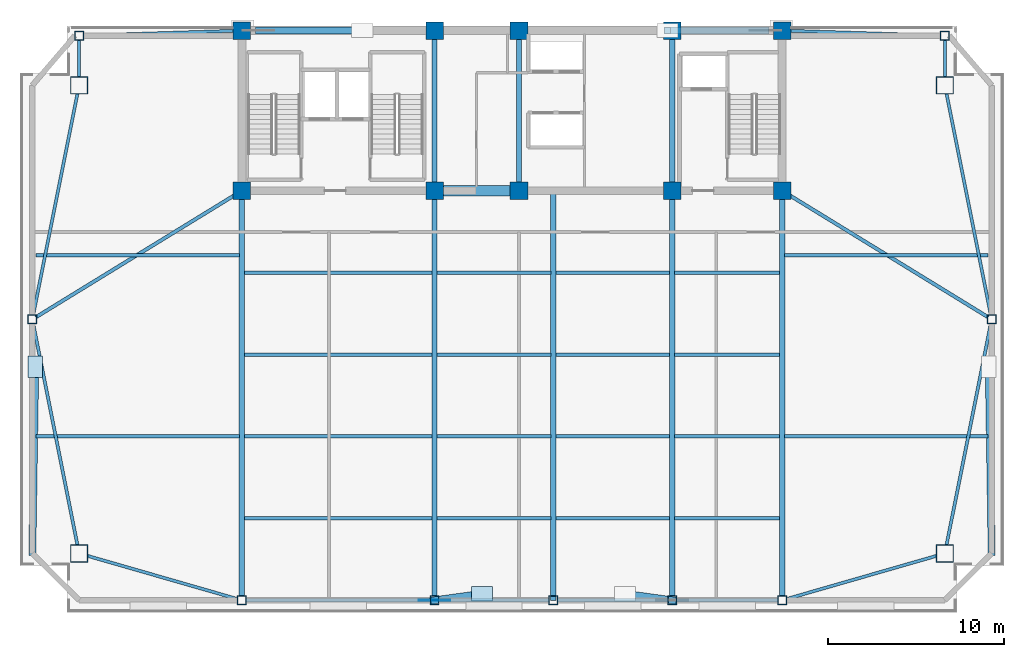
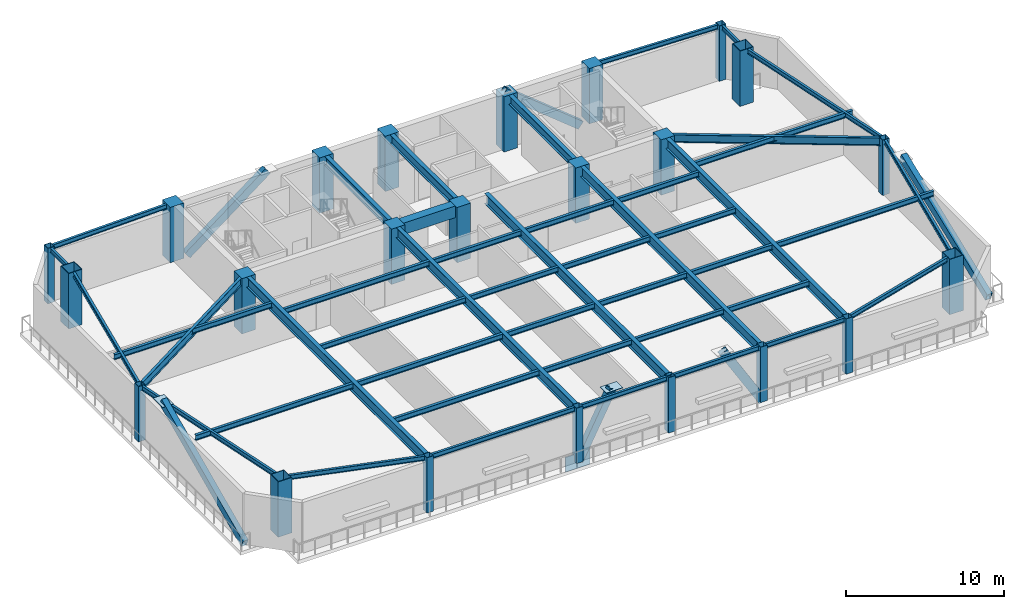
# One storey, part 1 of 9: 45 beams, 23 columns, 6 members, 3 plates.
"""IFC4 building model written with IfcOpenShell, lengths in metres."""

from ifc_helpers import new_model, si_unit, direction, frame, origin, origin_2d, place, context, subcontext, project, spatial, rectangle, hollow_rectangle, i_section, extrude, source, transform, mapped, material, material_profile, profile_set, type_object, element, save


model = new_model("IFC4")

# Units and contexts
model_context = context("Model", 3, precision=1e-05, world=origin(), true_north=direction((0.0, 1.0)))
body_context = subcontext(model_context, "Body", "Model", "MODEL_VIEW")
ifc_project = project(units=[si_unit("LENGTHUNIT", "METRE"), si_unit("AREAUNIT", "SQUARE_METRE"), si_unit("VOLUMEUNIT", "CUBIC_METRE"), si_unit("PLANEANGLEUNIT", "RADIAN"), si_unit("MASSUNIT", "GRAM", prefix="KILO")], contexts=[model_context])

# Site, building, storey
site_placement = place(None, origin())
site = spatial("IfcSite", under=ifc_project, at=site_placement, CompositionType="ELEMENT")
building_placement = place(site_placement, origin())
building = spatial("IfcBuilding", under=site, at=building_placement, Name="Giltprow Tower", CompositionType="ELEMENT")
storey_placement = place(building_placement, frame((0.0, 0.0, 237.199951171875)))
storey = spatial("IfcBuildingStorey", under=building, at=storey_placement, Name="L60", CompositionType="ELEMENT", Elevation=237.199951171875)

# Columns
ifc_material_1 = material(Name="Structural steel Q420GJC", Category="steel")
ifc_material_profile_1 = material_profile(ifc_material_1, hollow_rectangle(XDim=1.0, YDim=1.0, WallThickness=0.044921875, at=origin_2d()), Name="BOX 1000x1000x45")
ifc_profile_set_1 = profile_set([ifc_material_profile_1], Name="Structural steel Q420GJC")
column_type_1 = type_object("IfcColumnType", Name="COL-BOX-1000x1000x45", PredefinedType="COLUMN", material=ifc_profile_set_1)
shared_shape_1 = source(origin(), body_context, "Body", "SweptSolid", [
    extrude(hollow_rectangle(XDim=1.0, YDim=1.0, WallThickness=0.044921875, at=origin_2d()), origin(), (0.0, 0.0, 1.0), 4.28515625),
])
for number, where, z_axis, x_axis, name in (
    (1, (10.60888671875, 16.843017578125, 0.0), (0.0, 0.0, 1.0), (1.0, 0.0, 0.0), "L60 Mega-Column MC_SW"),
    (2, (59.791015625, 16.843017578125, 0.0), (0.0, 0.0, 1.0), (1.0, 0.0, 0.0), "L60 Mega-Column MC_SE"),
    (3, (10.60888671875, 43.43896484375, 0.0), (0.0, 0.0, 1.0), (1.0, 0.0, 0.0), "L60 Mega-Column MC_NW"),
    (4, (59.791015625, 43.43896484375, 0.0), (0.0, 0.0, 1.0), (1.0, 0.0, 0.0), "L60 Mega-Column MC_NE"),
):
    element("IfcColumn", number, at=place(storey_placement, frame(where, z_axis=z_axis, x_axis=x_axis)), inside=storey, type_object=column_type_1, Name=name, PredefinedType="COLUMN", context=body_context, shape_type="MappedRepresentation", body=[
        mapped(shared_shape_1, transform((0.0, 0.0, 0.0), x_axis=(1.0, 0.0, 0.0), y_axis=(0.0, 1.0, 0.0), z_axis=(0.0, 0.0, 1.0), scale=1.0)),
    ])
ifc_material_2 = material(Name="Concrete C50", Category="concrete")
ifc_material_profile_2 = material_profile(ifc_material_2, rectangle(XDim=1.0, YDim=1.0, at=origin_2d()), Name="RC 1000x1000")
ifc_profile_set_2 = profile_set([ifc_material_profile_2], Name="Concrete C50")
column_type_2 = type_object("IfcColumnType", Name="PIL-RC-1000-C50", PredefinedType="PILASTER", material=ifc_profile_set_2)
shared_shape_2 = source(origin(), body_context, "Body", "SweptSolid", [
    extrude(rectangle(XDim=1.0, YDim=1.0, at=origin_2d()), origin(), (0.0, 0.0, 1.0), 4.28515625),
])
for number, where, z_axis, x_axis, name in (
    (5, (19.85009765625, 37.449951171875, 0.0), (0.0, 0.0, 1.0), (1.0, 0.0, 0.0), "L60 Core Boundary Pilaster 1-1"),
    (6, (19.85009765625, 46.550048828125, 0.0), (0.0, 0.0, 1.0), (1.0, 0.0, 0.0), "L60 Core Boundary Pilaster 1-2"),
    (7, (30.800048828125, 37.449951171875, 0.0), (0.0, 0.0, 1.0), (1.0, 0.0, 0.0), "L60 Core Boundary Pilaster 2-1"),
    (8, (30.800048828125, 46.550048828125, 0.0), (0.0, 0.0, 1.0), (1.0, 0.0, 0.0), "L60 Core Boundary Pilaster 2-2"),
    (9, (35.60009765625, 37.449951171875, 0.0), (0.0, 0.0, 1.0), (1.0, 0.0, 0.0), "L60 Core Boundary Pilaster 3-1"),
    (10, (35.60009765625, 46.550048828125, 0.0), (0.0, 0.0, 1.0), (1.0, 0.0, 0.0), "L60 Core Boundary Pilaster 3-2"),
    (11, (44.300048828125, 37.449951171875, 0.0), (0.0, 0.0, 1.0), (1.0, 0.0, 0.0), "L60 Core Boundary Pilaster 4-1"),
    (12, (44.300048828125, 46.550048828125, 0.0), (0.0, 0.0, 1.0), (1.0, 0.0, 0.0), "L60 Core Boundary Pilaster 4-2"),
    (13, (50.550048828125, 37.449951171875, 0.0), (0.0, 0.0, 1.0), (1.0, 0.0, 0.0), "L60 Core Boundary Pilaster 5-1"),
    (14, (50.550048828125, 46.550048828125, 0.0), (0.0, 0.0, 1.0), (1.0, 0.0, 0.0), "L60 Core Boundary Pilaster 5-2"),
):
    element("IfcColumn", number, at=place(storey_placement, frame(where, z_axis=z_axis, x_axis=x_axis)), inside=storey, type_object=column_type_2, Name=name, PredefinedType="PILASTER", context=body_context, shape_type="MappedRepresentation", body=[
        mapped(shared_shape_2, transform((0.0, 0.0, 0.0), x_axis=(1.0, 0.0, 0.0), y_axis=(0.0, 1.0, 0.0), z_axis=(0.0, 0.0, 1.0), scale=1.0)),
    ])
ifc_material_3 = material(Name="Structural steel Q355B", Category="steel")
ifc_material_profile_3 = material_profile(ifc_material_3, hollow_rectangle(XDim=0.5, YDim=0.5, WallThickness=0.02392578125, at=origin_2d()), Name="BOX 500x500x24")
ifc_profile_set_3 = profile_set([ifc_material_profile_3], Name="Structural steel Q355B")
column_type_3 = type_object("IfcColumnType", Name="COL-BOX-500x500x24", PredefinedType="COLUMN", material=ifc_profile_set_3)
shared_shape_3 = source(origin(), body_context, "Body", "SweptSolid", [
    extrude(hollow_rectangle(XDim=0.5, YDim=0.5, WallThickness=0.02392578125, at=origin_2d()), origin(), (0.0, 0.0, 1.0), 4.28515625),
])
for number, where, z_axis, x_axis, name in (
    (15, (19.85009765625, 14.181884765625, 0.0), (0.0, 0.0, 1.0), (1.0, 0.0, 0.0), "L60 Perimeter Column S1"),
    (16, (30.800048828125, 14.181884765625, 0.0), (0.0, 0.0, 1.0), (1.0, 0.0, 0.0), "L60 Perimeter Column S2"),
    (17, (37.550048828125, 14.181884765625, 0.0), (0.0, 0.0, 1.0), (1.0, 0.0, 0.0), "L60 Perimeter Column S_MID"),
    (18, (44.300048828125, 14.181884765625, 0.0), (0.0, 0.0, 1.0), (1.0, 0.0, 0.0), "L60 Perimeter Column S3"),
    (19, (50.550048828125, 14.181884765625, 0.0), (0.0, 0.0, 1.0), (1.0, 0.0, 0.0), "L60 Perimeter Column S4"),
    (20, (7.947998046875, 30.14111328125, 0.0), (0.0, 0.0, 1.0), (1.0, 0.0, 0.0), "L60 Perimeter Column W_MID"),
    (21, (62.451904296875, 30.14111328125, 0.0), (0.0, 0.0, 1.0), (1.0, 0.0, 0.0), "L60 Perimeter Column E_MID"),
    (22, (10.60888671875, 46.25, 0.0), (0.0, 0.0, 1.0), (1.0, 0.0, 0.0), "L60 Perimeter Column N_W"),
    (23, (59.791015625, 46.25, 0.0), (0.0, 0.0, 1.0), (1.0, 0.0, 0.0), "L60 Perimeter Column N_E"),
):
    element("IfcColumn", number, at=place(storey_placement, frame(where, z_axis=z_axis, x_axis=x_axis)), inside=storey, type_object=column_type_3, Name=name, PredefinedType="COLUMN", context=body_context, shape_type="MappedRepresentation", body=[
        mapped(shared_shape_3, transform((0.0, 0.0, 0.0), x_axis=(1.0, 0.0, 0.0), y_axis=(0.0, 1.0, 0.0), z_axis=(0.0, 0.0, 1.0), scale=1.0)),
    ])

# Beams
ifc_material_profile_4 = material_profile(ifc_material_2, rectangle(XDim=0.60009765625, YDim=0.89990234375, at=origin_2d()), Name="RC 900x600")
ifc_profile_set_4 = profile_set([ifc_material_profile_4], Name="Concrete C50")
beam_type_1 = type_object("IfcBeamType", Name="BM-CPL-RC900", PredefinedType="LINTEL", material=ifc_profile_set_4)
shared_shape_4 = source(origin(), body_context, "Body", "SweptSolid", [
    extrude(rectangle(XDim=0.60009765625, YDim=0.89990234375, at=origin_2d()), origin(), (0.0, 0.0, 1.0), 3.830078125),
])
beam_1_placement = place(storey_placement, frame((31.284912109375, 37.449951171875, 3.8349609375), z_axis=(1.0, 0.0, 0.0), x_axis=(0.0, 1.0, 0.0)))
element("IfcBeam", 24, at=beam_1_placement, inside=storey, type_object=beam_type_1, Name="L60 Core Coupling Beam CB-1", PredefinedType="LINTEL", context=body_context, shape_type="MappedRepresentation", body=[
    mapped(shared_shape_4, transform((0.0, 0.0, 0.0), x_axis=(1.0, 0.0, 0.0), y_axis=(0.0, 1.0, 0.0), z_axis=(0.0, 0.0, 1.0), scale=1.0)),
])
ifc_material_profile_5 = material_profile(ifc_material_3, i_section(OverallWidth=0.300048828125, OverallDepth=0.699951171875, WebThickness=0.012939453125, FlangeThickness=0.02392578125, at=origin_2d()), Name="HN 700x300x13x24")
ifc_profile_set_5 = profile_set([ifc_material_profile_5], Name="Structural steel Q355B")
beam_type_2 = type_object("IfcBeamType", Name="BM-GIRD-HN700", PredefinedType="BEAM", material=ifc_profile_set_5)
shared_shape_5 = source(origin(), body_context, "Body", "SweptSolid", [
    extrude(i_section(OverallWidth=0.300048828125, OverallDepth=0.699951171875, WebThickness=0.012939453125, FlangeThickness=0.02392578125, at=origin_2d()), origin(), (0.0, 0.0, 1.0), 8.1298828125),
])
for number, where, z_axis, x_axis, name in (
    (25, (30.800048828125, 37.93505859375, 3.93505859375), (0.0, 1.0, 0.0), (-1.0, 0.0, 0.0), "L60 Core Tie Girder M1"),
    (26, (35.60009765625, 37.93505859375, 3.93505859375), (0.0, 1.0, 0.0), (-1.0, 0.0, 0.0), "L60 Core Tie Girder M2"),
    (27, (44.300048828125, 37.93505859375, 3.93505859375), (0.0, 1.0, 0.0), (-1.0, 0.0, 0.0), "L60 Core Tie Girder M3"),
):
    element("IfcBeam", number, at=place(storey_placement, frame(where, z_axis=z_axis, x_axis=x_axis)), inside=storey, type_object=beam_type_2, Name=name, PredefinedType="BEAM", context=body_context, shape_type="MappedRepresentation", body=[
        mapped(shared_shape_5, transform((0.0, 0.0, 0.0), x_axis=(1.0, 0.0, 0.0), y_axis=(0.0, 1.0, 0.0), z_axis=(0.0, 0.0, 1.0), scale=1.0)),
    ])
ifc_material_profile_6 = material_profile(ifc_material_3, i_section(OverallWidth=0.199951171875, OverallDepth=0.39990234375, WebThickness=0.008056640625, FlangeThickness=0.012939453125, at=origin_2d()), Name="HN 400x200x8x13")
ifc_profile_set_6 = profile_set([ifc_material_profile_6], Name="Structural steel Q355B")
beam_type_3 = type_object("IfcBeamType", Name="BM-JOIST-HN400", PredefinedType="JOIST", material=ifc_profile_set_6)
shared_shape_6 = source(origin(), body_context, "Body", "SweptSolid", [
    extrude(i_section(OverallWidth=0.199951171875, OverallDepth=0.39990234375, WebThickness=0.008056640625, FlangeThickness=0.012939453125, at=origin_2d()), origin(), (0.0, 0.0, 1.0), 10.659912109375),
])
for number, where, z_axis, x_axis, name in (
    (28, (19.9951171875, 18.8359375, 4.0849609375), (1.0, 0.0, 0.0), (0.0, 1.0, 0.0), "L60 Composite Floor Joist 1-1"),
    (29, (19.9951171875, 23.489013671875, 4.0849609375), (1.0, 0.0, 0.0), (0.0, 1.0, 0.0), "L60 Composite Floor Joist 2-1"),
    (30, (19.9951171875, 28.14306640625, 4.0849609375), (1.0, 0.0, 0.0), (0.0, 1.0, 0.0), "L60 Composite Floor Joist 3-1"),
    (31, (19.9951171875, 32.7958984375, 4.0849609375), (1.0, 0.0, 0.0), (0.0, 1.0, 0.0), "L60 Composite Floor Joist 4-1"),
):
    element("IfcBeam", number, at=place(storey_placement, frame(where, z_axis=z_axis, x_axis=x_axis)), inside=storey, type_object=beam_type_3, Name=name, PredefinedType="JOIST", context=body_context, shape_type="MappedRepresentation", body=[
        mapped(shared_shape_6, transform((0.0, 0.0, 0.0), x_axis=(1.0, 0.0, 0.0), y_axis=(0.0, 1.0, 0.0), z_axis=(0.0, 0.0, 1.0), scale=1.0)),
    ])
shared_shape_7 = source(origin(), body_context, "Body", "SweptSolid", [
    extrude(i_section(OverallWidth=0.199951171875, OverallDepth=0.39990234375, WebThickness=0.008056640625, FlangeThickness=0.012939453125, at=origin_2d()), origin(), (0.0, 0.0, 1.0), 6.4599609375),
])
for number, where, z_axis, x_axis, name in (
    (32, (30.945068359375, 18.8359375, 4.0849609375), (1.0, 0.0, 0.0), (0.0, 1.0, 0.0), "L60 Composite Floor Joist 1-2"),
    (33, (37.695068359375, 18.8359375, 4.0849609375), (1.0, 0.0, 0.0), (0.0, 1.0, 0.0), "L60 Composite Floor Joist 1-3"),
    (34, (30.945068359375, 23.489013671875, 4.0849609375), (1.0, 0.0, 0.0), (0.0, 1.0, 0.0), "L60 Composite Floor Joist 2-2"),
    (35, (37.695068359375, 23.489013671875, 4.0849609375), (1.0, 0.0, 0.0), (0.0, 1.0, 0.0), "L60 Composite Floor Joist 2-3"),
    (36, (30.945068359375, 28.14306640625, 4.0849609375), (1.0, 0.0, 0.0), (0.0, 1.0, 0.0), "L60 Composite Floor Joist 3-2"),
    (37, (37.695068359375, 28.14306640625, 4.0849609375), (1.0, 0.0, 0.0), (0.0, 1.0, 0.0), "L60 Composite Floor Joist 3-3"),
    (38, (30.945068359375, 32.7958984375, 4.0849609375), (1.0, 0.0, 0.0), (0.0, 1.0, 0.0), "L60 Composite Floor Joist 4-2"),
    (39, (37.695068359375, 32.7958984375, 4.0849609375), (1.0, 0.0, 0.0), (0.0, 1.0, 0.0), "L60 Composite Floor Joist 4-3"),
):
    element("IfcBeam", number, at=place(storey_placement, frame(where, z_axis=z_axis, x_axis=x_axis)), inside=storey, type_object=beam_type_3, Name=name, PredefinedType="JOIST", context=body_context, shape_type="MappedRepresentation", body=[
        mapped(shared_shape_7, transform((0.0, 0.0, 0.0), x_axis=(1.0, 0.0, 0.0), y_axis=(0.0, 1.0, 0.0), z_axis=(0.0, 0.0, 1.0), scale=1.0)),
    ])
shared_shape_8 = source(origin(), body_context, "Body", "SweptSolid", [
    extrude(i_section(OverallWidth=0.199951171875, OverallDepth=0.39990234375, WebThickness=0.008056640625, FlangeThickness=0.012939453125, at=origin_2d()), origin(), (0.0, 0.0, 1.0), 5.9599609375),
])
for number, where, z_axis, x_axis, name in (
    (40, (44.445068359375, 18.8359375, 4.0849609375), (1.0, 0.0, 0.0), (0.0, 1.0, 0.0), "L60 Composite Floor Joist 1-4"),
    (41, (44.445068359375, 23.489013671875, 4.0849609375), (1.0, 0.0, 0.0), (0.0, 1.0, 0.0), "L60 Composite Floor Joist 2-4"),
    (42, (44.445068359375, 28.14306640625, 4.0849609375), (1.0, 0.0, 0.0), (0.0, 1.0, 0.0), "L60 Composite Floor Joist 3-4"),
    (43, (44.445068359375, 32.7958984375, 4.0849609375), (1.0, 0.0, 0.0), (0.0, 1.0, 0.0), "L60 Composite Floor Joist 4-4"),
):
    element("IfcBeam", number, at=place(storey_placement, frame(where, z_axis=z_axis, x_axis=x_axis)), inside=storey, type_object=beam_type_3, Name=name, PredefinedType="JOIST", context=body_context, shape_type="MappedRepresentation", body=[
        mapped(shared_shape_8, transform((0.0, 0.0, 0.0), x_axis=(1.0, 0.0, 0.0), y_axis=(0.0, 1.0, 0.0), z_axis=(0.0, 0.0, 1.0), scale=1.0)),
    ])
ifc_material_profile_7 = material_profile(ifc_material_3, i_section(OverallWidth=0.300048828125, OverallDepth=0.800048828125, WebThickness=0.013916015625, FlangeThickness=0.02587890625, at=origin_2d()), Name="HN 800x300x14x26")
ifc_profile_set_7 = profile_set([ifc_material_profile_7], Name="Structural steel Q355B")
beam_type_4 = type_object("IfcBeamType", Name="BM-GIRD-HN800", PredefinedType="BEAM", material=ifc_profile_set_7)
shared_shape_9 = source(origin(), body_context, "Body", "SweptSolid", [
    extrude(i_section(OverallWidth=0.300048828125, OverallDepth=0.800048828125, WebThickness=0.013916015625, FlangeThickness=0.02587890625, at=origin_2d()), origin(), (0.0, 0.0, 1.0), 23.26806640625),
])
beam_2_placement = place(storey_placement, frame((37.550048828125, 14.181884765625, 3.885009765625), z_axis=(0.0, 1.0, 0.0), x_axis=(-1.0, 0.0, 0.0)))
element("IfcBeam", 44, at=beam_2_placement, inside=storey, type_object=beam_type_4, Name="L60 Central Lease Girder SMID", PredefinedType="BEAM", context=body_context, shape_type="MappedRepresentation", body=[
    mapped(shared_shape_9, transform((0.0, 0.0, 0.0), x_axis=(1.0, 0.0, 0.0), y_axis=(0.0, 1.0, 0.0), z_axis=(0.0, 0.0, 1.0), scale=1.0)),
])
shared_shape_10 = source(origin(), body_context, "Body", "SweptSolid", [
    extrude(i_section(OverallWidth=0.199951171875, OverallDepth=0.39990234375, WebThickness=0.008056640625, FlangeThickness=0.012939453125, at=origin_2d()), origin(), (0.0, 0.0, 1.0), 11.537109375),
])
for number, where, z_axis, x_axis, name in (
    (45, (8.16796875, 23.491943359375, 4.0849609375), (1.0, 0.0, 0.0), (0.0, 1.0, 0.0), "L60 West Wing Floor Joist 1"),
    (46, (8.16796875, 33.7958984375, 4.0849609375), (1.0, 0.0, 0.0), (0.0, 1.0, 0.0), "L60 West Wing Floor Joist 2"),
):
    element("IfcBeam", number, at=place(storey_placement, frame(where, z_axis=z_axis, x_axis=x_axis)), inside=storey, type_object=beam_type_3, Name=name, PredefinedType="JOIST", context=body_context, shape_type="MappedRepresentation", body=[
        mapped(shared_shape_10, transform((0.0, 0.0, 0.0), x_axis=(1.0, 0.0, 0.0), y_axis=(0.0, 1.0, 0.0), z_axis=(0.0, 0.0, 1.0), scale=1.0)),
    ])
shared_shape_11 = source(origin(), body_context, "Body", "SweptSolid", [
    extrude(i_section(OverallWidth=0.199951171875, OverallDepth=0.39990234375, WebThickness=0.008056640625, FlangeThickness=0.012939453125, at=origin_2d()), origin(), (0.0, 0.0, 1.0), 11.536865234375),
])
for number, where, z_axis, x_axis, name in (
    (47, (50.695068359375, 23.491943359375, 4.0849609375), (1.0, 0.0, 0.0), (0.0, 1.0, 0.0), "L60 East Wing Floor Joist 1"),
    (48, (50.695068359375, 33.7958984375, 4.0849609375), (1.0, 0.0, 0.0), (0.0, 1.0, 0.0), "L60 East Wing Floor Joist 2"),
):
    element("IfcBeam", number, at=place(storey_placement, frame(where, z_axis=z_axis, x_axis=x_axis)), inside=storey, type_object=beam_type_3, Name=name, PredefinedType="JOIST", context=body_context, shape_type="MappedRepresentation", body=[
        mapped(shared_shape_11, transform((0.0, 0.0, 0.0), x_axis=(1.0, 0.0, 0.0), y_axis=(0.0, 1.0, 0.0), z_axis=(0.0, 0.0, 1.0), scale=1.0)),
    ])
ifc_material_profile_8 = material_profile(ifc_material_3, i_section(OverallWidth=0.175048828125, OverallDepth=0.35009765625, WebThickness=0.007080078125, FlangeThickness=0.010986328125, at=origin_2d()), Name="HN 350x175x7x11")
ifc_profile_set_8 = profile_set([ifc_material_profile_8], Name="Structural steel Q355B")
beam_type_5 = type_object("IfcBeamType", Name="BM-SPAN-HN350", PredefinedType="SPANDREL", material=ifc_profile_set_8)
shared_shape_12 = source(origin(), body_context, "Body", "SweptSolid", [
    extrude(i_section(OverallWidth=0.175048828125, OverallDepth=0.35009765625, WebThickness=0.007080078125, FlangeThickness=0.010986328125, at=origin_2d()), origin(), (0.0, 0.0, 1.0), 8.896484375),
])
for number, where, z_axis, x_axis, name in (
    (49, (11.074951171875, 16.708984375, 4.110107421875), (0.960948150958, -0.276728479146, 0.0), (0.276728479146, 0.960948150958, 0.0), "L60 Perimeter Spandrel Beam MC_SW-S1"),
    (50, (50.77587890625, 14.2470703125, 4.110107421875), (0.960948150958, 0.276728479146, 0.0), (-0.276728479146, 0.960948150958, 0.0), "L60 Perimeter Spandrel Beam S4-MC_SE"),
):
    element("IfcBeam", number, at=place(storey_placement, frame(where, z_axis=z_axis, x_axis=x_axis)), inside=storey, type_object=beam_type_5, Name=name, PredefinedType="SPANDREL", context=body_context, shape_type="MappedRepresentation", body=[
        mapped(shared_shape_12, transform((0.0, 0.0, 0.0), x_axis=(1.0, 0.0, 0.0), y_axis=(0.0, 1.0, 0.0), z_axis=(0.0, 0.0, 1.0), scale=1.0)),
    ])
shared_shape_13 = source(origin(), body_context, "Body", "SweptSolid", [
    extrude(i_section(OverallWidth=0.175048828125, OverallDepth=0.35009765625, WebThickness=0.007080078125, FlangeThickness=0.010986328125, at=origin_2d()), origin(), (0.0, 0.0, 1.0), 10.47998046875),
])
beam_3_placement = place(storey_placement, frame((20.0849609375, 14.181884765625, 4.110107421875), z_axis=(1.0, 0.0, 0.0), x_axis=(0.0, 1.0, 0.0)))
element("IfcBeam", 51, at=beam_3_placement, inside=storey, type_object=beam_type_5, Name="L60 Perimeter Spandrel Beam S1-S2", PredefinedType="SPANDREL", context=body_context, shape_type="MappedRepresentation", body=[
    mapped(shared_shape_13, transform((0.0, 0.0, 0.0), x_axis=(1.0, 0.0, 0.0), y_axis=(0.0, 1.0, 0.0), z_axis=(0.0, 0.0, 1.0), scale=1.0)),
])
shared_shape_14 = source(origin(), body_context, "Body", "SweptSolid", [
    extrude(i_section(OverallWidth=0.175048828125, OverallDepth=0.35009765625, WebThickness=0.007080078125, FlangeThickness=0.010986328125, at=origin_2d()), origin(), (0.0, 0.0, 1.0), 6.280029296875),
])
for number, where, z_axis, x_axis, name in (
    (52, (31.034912109375, 14.181884765625, 4.110107421875), (1.0, 0.0, 0.0), (0.0, 1.0, 0.0), "L60 Perimeter Spandrel Beam S2-S_MID"),
    (53, (37.784912109375, 14.181884765625, 4.110107421875), (1.0, 0.0, 0.0), (0.0, 1.0, 0.0), "L60 Perimeter Spandrel Beam S_MID-S3"),
):
    element("IfcBeam", number, at=place(storey_placement, frame(where, z_axis=z_axis, x_axis=x_axis)), inside=storey, type_object=beam_type_5, Name=name, PredefinedType="SPANDREL", context=body_context, shape_type="MappedRepresentation", body=[
        mapped(shared_shape_14, transform((0.0, 0.0, 0.0), x_axis=(1.0, 0.0, 0.0), y_axis=(0.0, 1.0, 0.0), z_axis=(0.0, 0.0, 1.0), scale=1.0)),
    ])
shared_shape_15 = source(origin(), body_context, "Body", "SweptSolid", [
    extrude(i_section(OverallWidth=0.175048828125, OverallDepth=0.35009765625, WebThickness=0.007080078125, FlangeThickness=0.010986328125, at=origin_2d()), origin(), (0.0, 0.0, 1.0), 5.780029296875),
])
beam_4_placement = place(storey_placement, frame((44.534912109375, 14.181884765625, 4.110107421875), z_axis=(1.0, 0.0, 0.0), x_axis=(0.0, 1.0, 0.0)))
element("IfcBeam", 54, at=beam_4_placement, inside=storey, type_object=beam_type_5, Name="L60 Perimeter Spandrel Beam S3-S4", PredefinedType="SPANDREL", context=body_context, shape_type="MappedRepresentation", body=[
    mapped(shared_shape_15, transform((0.0, 0.0, 0.0), x_axis=(1.0, 0.0, 0.0), y_axis=(0.0, 1.0, 0.0), z_axis=(0.0, 0.0, 1.0), scale=1.0)),
])
shared_shape_16 = source(origin(), body_context, "Body", "SweptSolid", [
    extrude(i_section(OverallWidth=0.175048828125, OverallDepth=0.35009765625, WebThickness=0.007080078125, FlangeThickness=0.010986328125, at=origin_2d()), origin(), (0.0, 0.0, 1.0), 12.841552734375),
])
for number, where, z_axis, x_axis, name in (
    (55, (59.885986328125, 17.319091796875, 4.110107421875), (0.196240441892, 0.980555806146, 0.0), (-0.980555806146, 0.196240441892, 0.0), "L60 Perimeter Spandrel Beam MC_SE-E_MID"),
    (56, (62.406005859375, 30.37109375, 4.110107421875), (-0.196240441892, 0.980555806146, 0.0), (-0.980555806146, -0.196240441892, 0.0), "L60 Perimeter Spandrel Beam E_MID-MC_NE"),
    (57, (10.513916015625, 42.962890625, 4.110107421875), (-0.196240441892, -0.980555806146, 0.0), (0.980555806146, -0.196240441892, 0.0), "L60 Perimeter Spandrel Beam MC_NW-W_MID"),
    (58, (7.993896484375, 29.910888671875, 4.110107421875), (0.196240441892, -0.980555806146, 0.0), (0.980555806146, 0.196240441892, 0.0), "L60 Perimeter Spandrel Beam W_MID-MC_SW"),
):
    element("IfcBeam", number, at=place(storey_placement, frame(where, z_axis=z_axis, x_axis=x_axis)), inside=storey, type_object=beam_type_5, Name=name, PredefinedType="SPANDREL", context=body_context, shape_type="MappedRepresentation", body=[
        mapped(shared_shape_16, transform((0.0, 0.0, 0.0), x_axis=(1.0, 0.0, 0.0), y_axis=(0.0, 1.0, 0.0), z_axis=(0.0, 0.0, 1.0), scale=1.0)),
    ])
shared_shape_17 = source(origin(), body_context, "Body", "SweptSolid", [
    extrude(i_section(OverallWidth=0.175048828125, OverallDepth=0.35009765625, WebThickness=0.007080078125, FlangeThickness=0.010986328125, at=origin_2d()), origin(), (0.0, 0.0, 1.0), 2.0908203125),
])
for number, where, z_axis, x_axis, name in (
    (59, (59.791015625, 43.924072265625, 4.110107421875), (0.0, 1.0, 0.0), (-1.0, 0.0, 0.0), "L60 Perimeter Spandrel Beam MC_NE-N_E"),
    (60, (10.60888671875, 46.014892578125, 4.110107421875), (0.0, -1.0, 0.0), (1.0, 0.0, 0.0), "L60 Perimeter Spandrel Beam N_W-MC_NW"),
):
    element("IfcBeam", number, at=place(storey_placement, frame(where, z_axis=z_axis, x_axis=x_axis)), inside=storey, type_object=beam_type_5, Name=name, PredefinedType="SPANDREL", context=body_context, shape_type="MappedRepresentation", body=[
        mapped(shared_shape_17, transform((0.0, 0.0, 0.0), x_axis=(1.0, 0.0, 0.0), y_axis=(0.0, 1.0, 0.0), z_axis=(0.0, 0.0, 1.0), scale=1.0)),
    ])
shared_shape_18 = source(origin(), body_context, "Body", "SweptSolid", [
    extrude(i_section(OverallWidth=0.175048828125, OverallDepth=0.35009765625, WebThickness=0.007080078125, FlangeThickness=0.010986328125, at=origin_2d()), origin(), (0.0, 0.0, 1.0), 8.525390625),
])
for number, where, z_axis, x_axis, name in (
    (61, (10.843994140625, 46.258056640625, 4.110107421875), (0.999476297078, 0.032359412518, 0.0), (-0.032359412518, 0.999476297078, 0.0), "L60 North Wing Spandrel W"),
    (62, (51.034912109375, 46.533935546875, 4.110107421875), (0.999476297078, -0.032359412518, 0.0), (0.032359412518, 0.999476297078, 0.0), "L60 North Wing Spandrel E"),
):
    element("IfcBeam", number, at=place(storey_placement, frame(where, z_axis=z_axis, x_axis=x_axis)), inside=storey, type_object=beam_type_5, Name=name, PredefinedType="SPANDREL", context=body_context, shape_type="MappedRepresentation", body=[
        mapped(shared_shape_18, transform((0.0, 0.0, 0.0), x_axis=(1.0, 0.0, 0.0), y_axis=(0.0, 1.0, 0.0), z_axis=(0.0, 0.0, 1.0), scale=1.0)),
    ])
shared_shape_19 = source(origin(), body_context, "Body", "SweptSolid", [
    extrude(i_section(OverallWidth=0.300048828125, OverallDepth=0.800048828125, WebThickness=0.013916015625, FlangeThickness=0.02587890625, at=origin_2d()), origin(), (0.0, 0.0, 1.0), 22.548095703125),
])
for number, where, z_axis, x_axis, name in (
    (63, (19.85009765625, 14.4169921875, 3.885009765625), (0.0, 1.0, 0.0), (-1.0, 0.0, 0.0), "L60 Primary Lease Girder S1"),
    (64, (30.800048828125, 14.4169921875, 3.885009765625), (0.0, 1.0, 0.0), (-1.0, 0.0, 0.0), "L60 Primary Lease Girder S2"),
    (65, (44.300048828125, 14.4169921875, 3.885009765625), (0.0, 1.0, 0.0), (-1.0, 0.0, 0.0), "L60 Primary Lease Girder S3"),
    (66, (50.550048828125, 14.4169921875, 3.885009765625), (0.0, 1.0, 0.0), (-1.0, 0.0, 0.0), "L60 Primary Lease Girder S4"),
):
    element("IfcBeam", number, at=place(storey_placement, frame(where, z_axis=z_axis, x_axis=x_axis)), inside=storey, type_object=beam_type_4, Name=name, PredefinedType="BEAM", context=body_context, shape_type="MappedRepresentation", body=[
        mapped(shared_shape_19, transform((0.0, 0.0, 0.0), x_axis=(1.0, 0.0, 0.0), y_axis=(0.0, 1.0, 0.0), z_axis=(0.0, 0.0, 1.0), scale=1.0)),
    ])
ifc_material_profile_9 = material_profile(ifc_material_3, i_section(OverallWidth=0.199951171875, OverallDepth=0.60009765625, WebThickness=0.010986328125, FlangeThickness=0.01708984375, at=origin_2d()), Name="HN 600x200x11x17")
ifc_profile_set_9 = profile_set([ifc_material_profile_9], Name="Structural steel Q355B")
beam_type_6 = type_object("IfcBeamType", Name="BM-GIRD-HN600", PredefinedType="BEAM", material=ifc_profile_set_9)
shared_shape_20 = source(origin(), body_context, "Body", "SweptSolid", [
    extrude(i_section(OverallWidth=0.199951171875, OverallDepth=0.60009765625, WebThickness=0.010986328125, FlangeThickness=0.01708984375, at=origin_2d()), origin(), (0.0, 0.0, 1.0), 13.24755859375),
])
for number, where, z_axis, x_axis, name in (
    (67, (8.14794921875, 30.263916015625, 3.985107421875), (0.852162863713, 0.523276651217, 0.0), (-0.523276651217, 0.852162863713, 0.0), "L60 West Wing Primary Girder"),
    (68, (62.251953125, 30.263916015625, 3.985107421875), (-0.852162863713, 0.523276651217, 0.0), (-0.523276651217, -0.852162863713, 0.0), "L60 East Wing Primary Girder"),
):
    element("IfcBeam", number, at=place(storey_placement, frame(where, z_axis=z_axis, x_axis=x_axis)), inside=storey, type_object=beam_type_6, Name=name, PredefinedType="BEAM", context=body_context, shape_type="MappedRepresentation", body=[
        mapped(shared_shape_20, transform((0.0, 0.0, 0.0), x_axis=(1.0, 0.0, 0.0), y_axis=(0.0, 1.0, 0.0), z_axis=(0.0, 0.0, 1.0), scale=1.0)),
    ])

# Members
ifc_material_profile_10 = material_profile(ifc_material_1, hollow_rectangle(XDim=0.39990234375, YDim=0.60009765625, WallThickness=0.028076171875, at=origin_2d()), Name="RHS 600x400x28")
ifc_profile_set_10 = profile_set([ifc_material_profile_10], Name="Structural steel Q420GJC")
member_type = type_object("IfcMemberType", Name="MBR-MEGA-RHS600", PredefinedType="BRACE", material=ifc_profile_set_10)
shared_shape_21 = source(origin(), body_context, "Body", "SweptSolid", [
    extrude(hollow_rectangle(XDim=0.39990234375, YDim=0.60009765625, WallThickness=0.028076171875, at=origin_2d()), origin(), (0.0, 0.0, 1.0), 5.2548828125),
])
for number, where, z_axis, x_axis, name in (
    (69, (30.800048828125, 14.181884765625, 0.0), (0.511529448438, 0.070619869357, 0.856358836839), (-0.136759180058, 0.990604323971, 0.0), "L60 Chevron Mega-Brace S-L"),
    (70, (44.300048828125, 14.181884765625, 0.0), (-0.511529448438, 0.070619869357, 0.856358836839), (-0.136759180058, -0.990604323971, 0.0), "L60 Chevron Mega-Brace S-R"),
):
    element("IfcMember", number, at=place(storey_placement, frame(where, z_axis=z_axis, x_axis=x_axis)), inside=storey, type_object=member_type, Name=name, PredefinedType="BRACE", context=body_context, shape_type="MappedRepresentation", body=[
        mapped(shared_shape_21, transform((0.0, 0.0, 0.0), x_axis=(1.0, 0.0, 0.0), y_axis=(0.0, 1.0, 0.0), z_axis=(0.0, 0.0, 1.0), scale=1.0)),
    ])
shared_shape_22 = source(origin(), body_context, "Body", "SweptSolid", [
    extrude(hollow_rectangle(XDim=0.39990234375, YDim=0.60009765625, WallThickness=0.028076171875, at=origin_2d()), origin(), (0.0, 0.0, 1.0), 7.41552734375),
])
member_1_placement = place(storey_placement, frame((20.800048828125, 46.550048828125, -0.139892578125), z_axis=(0.794826712697, 0.0, 0.60683646626), x_axis=(0.0, 1.0, 0.0)))
element("IfcMember", 71, at=member_1_placement, inside=storey, type_object=member_type, Name="L60 Chevron Mega-Brace N-L", PredefinedType="BRACE", context=body_context, shape_type="MappedRepresentation", body=[
    mapped(shared_shape_22, transform((0.0, 0.0, 0.0), x_axis=(1.0, 0.0, 0.0), y_axis=(0.0, 1.0, 0.0), z_axis=(0.0, 0.0, 1.0), scale=1.0)),
])
shared_shape_23 = source(origin(), body_context, "Body", "SweptSolid", [
    extrude(hollow_rectangle(XDim=0.39990234375, YDim=0.60009765625, WallThickness=0.028076171875, at=origin_2d()), origin(), (0.0, 0.0, 1.0), 7.164794921875),
])
member_2_placement = place(storey_placement, frame((49.60009765625, 46.550048828125, -0.139892578125), z_axis=(-0.778148702553, 0.0, 0.62808008782), x_axis=(0.0, -1.0, 0.0)))
element("IfcMember", 72, at=member_2_placement, inside=storey, type_object=member_type, Name="L60 Chevron Mega-Brace N-R", PredefinedType="BRACE", context=body_context, shape_type="MappedRepresentation", body=[
    mapped(shared_shape_23, transform((0.0, 0.0, 0.0), x_axis=(1.0, 0.0, 0.0), y_axis=(0.0, 1.0, 0.0), z_axis=(0.0, 0.0, 1.0), scale=1.0)),
])
shared_shape_24 = source(origin(), body_context, "Body", "SweptSolid", [
    extrude(hollow_rectangle(XDim=0.39990234375, YDim=0.60009765625, WallThickness=0.028076171875, at=origin_2d()), origin(), (0.0, 0.0, 1.0), 11.52587890625),
])
for number, where, z_axis, x_axis, name in (
    (73, (7.947998046875, 16.843017578125, 0.0), (0.014403680563, 0.920522279253, 0.390424470781), (-0.999877603607, 0.015645376466, 0.0), "L60 Chevron Mega-Brace W-D"),
    (74, (62.451904296875, 16.843017578125, 0.0), (-0.014297792878, 0.920523678337, 0.390425064179), (-0.999879396612, -0.015530364782, 0.0), "L60 Chevron Mega-Brace E-D"),
):
    element("IfcMember", number, at=place(storey_placement, frame(where, z_axis=z_axis, x_axis=x_axis)), inside=storey, type_object=member_type, Name=name, PredefinedType="BRACE", context=body_context, shape_type="MappedRepresentation", body=[
        mapped(shared_shape_24, transform((0.0, 0.0, 0.0), x_axis=(1.0, 0.0, 0.0), y_axis=(0.0, 1.0, 0.0), z_axis=(0.0, 0.0, 1.0), scale=1.0)),
    ])

# Plates
plate_type_1 = type_object("IfcPlateType", Name="PLT-NODE-MBN1", PredefinedType="USERDEFINED", material=ifc_material_1)
shared_shape_25 = source(origin(), body_context, "Body", "SweptSolid", [
    extrude(rectangle(XDim=1.800048828125, YDim=0.050048828125, at=origin_2d()), origin(), (0.0, 0.0, 1.0), 1.14990234375),
])
plate_placement = place(storey_placement, frame((30.800048828125, 14.181884765625, -0.574951171875), z_axis=(0.0, 0.0, 1.0), x_axis=(1.0, 0.0, 0.0)))
element("IfcPlate", 75, at=plate_placement, inside=storey, type_object=plate_type_1, Name="Mega-Brace Node L60-S-LA", ObjectType="GUSSET", PredefinedType="USERDEFINED", context=body_context, shape_type="MappedRepresentation", body=[
    mapped(shared_shape_25, transform((0.0, 0.0, 0.0), x_axis=(1.0, 0.0, 0.0), y_axis=(0.0, 1.0, 0.0), z_axis=(0.0, 0.0, 1.0), scale=1.0)),
])
plate_type_2 = type_object("IfcPlateType", Name="PLT-CAP-SEAL", PredefinedType="USERDEFINED", material=ifc_material_1)
shared_shape_26 = source(origin(), body_context, "Body", "SweptSolid", [
    extrude(rectangle(XDim=1.199951171875, YDim=0.800048828125, at=origin_2d()), origin(), (0.0, 0.0, 1.0), 0.034912109375),
])
for number, where, z_axis, x_axis, name in (
    (76, (33.488037109375, 14.552978515625, 4.482421875), (0.0, 0.0, 1.0), (1.0, 0.0, 0.0), "Mega-Brace Node L60-S-LB"),
    (77, (8.114013671875, 27.452880859375, 4.482421875), (0.0, 0.0, 1.0), (0.0, 1.0, 0.0), "Mega-Brace Node L60-W-DB"),
):
    element("IfcPlate", number, at=place(storey_placement, frame(where, z_axis=z_axis, x_axis=x_axis)), inside=storey, type_object=plate_type_2, Name=name, ObjectType="SPLICE", PredefinedType="USERDEFINED", context=body_context, shape_type="MappedRepresentation", body=[
        mapped(shared_shape_26, transform((0.0, 0.0, 0.0), x_axis=(1.0, 0.0, 0.0), y_axis=(0.0, 1.0, 0.0), z_axis=(0.0, 0.0, 1.0), scale=1.0)),
    ])

save(model, "model.ifc")
